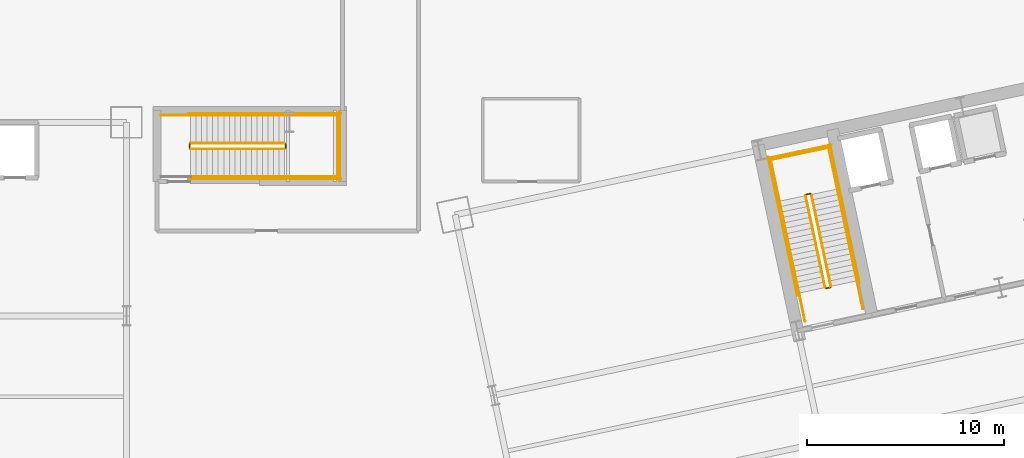
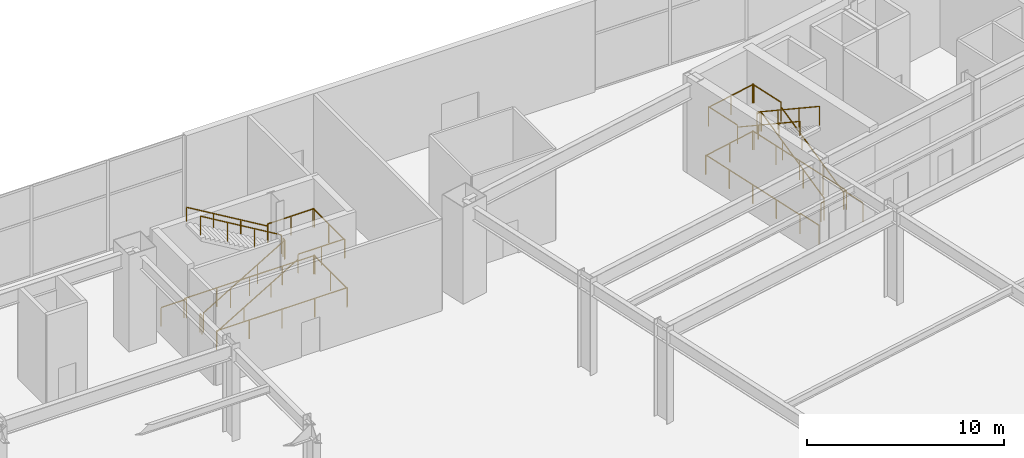
# One storey, part 28 of 30: 27 railings.
"""IFC4 building model written with IfcOpenShell, lengths in metres."""

from ifc_helpers import new_model, si_unit, direction, frame, origin, origin_2d, place, context, subcontext, project, spatial, rectangle, extrude, material, type_object, element, save


model = new_model("IFC4")

# Units and contexts
model_context = context("Model", 3, precision=1e-05, world=origin(), true_north=direction((0.0, 1.0)))
body_context = subcontext(model_context, "Body", "Model", "MODEL_VIEW")
ifc_project = project(units=[si_unit("LENGTHUNIT", "METRE"), si_unit("AREAUNIT", "SQUARE_METRE"), si_unit("VOLUMEUNIT", "CUBIC_METRE"), si_unit("PLANEANGLEUNIT", "RADIAN"), si_unit("MASSUNIT", "GRAM", prefix="KILO")], contexts=[model_context])

# Site, building, storey
site_placement = place(None, origin())
site = spatial("IfcSite", under=ifc_project, at=site_placement, CompositionType="ELEMENT")
building_placement = place(site_placement, origin())
building = spatial("IfcBuilding", under=site, at=building_placement, Name="Haevon Station Towers", CompositionType="ELEMENT")
storey_placement = place(building_placement, origin())
storey = spatial("IfcBuildingStorey", under=building, at=storey_placement, Name="L00", CompositionType="ELEMENT", Elevation=0.0)

# Railings
ifc_material = material(Name="Steel S355", Category="steel")
railing_type_1 = type_object("IfcRailingType", Name="GRD-STR1200", PredefinedType="GUARDRAIL", material=ifc_material)
railing_1_placement = place(storey_placement, frame((100.44140625, 39.69287109375, 0.166748046875)))
element("IfcRailing", 1, at=railing_1_placement, inside=storey, type_object=railing_type_1, Name="L00 ST3 Stair Guard 1", PredefinedType="GUARDRAIL", context=body_context, shape_type="SweptSolid", body=[
    extrude(rectangle(XDim=0.048095703125, YDim=0.048095703125, at=origin_2d()), frame((0.0, 0.0, 1.17578125), z_axis=(-0.178679474265, 0.840507541746, 0.511488726899), x_axis=(-0.97814190108, -0.207938503774, 0.0)), (0.0, 0.0, 1.0), 5.539306640625),
    extrude(rectangle(XDim=0.0419921875, YDim=0.0419921875, at=origin_2d()), origin(), (0.0, 0.0, 1.0), 1.15185546875),
    extrude(rectangle(XDim=0.0419921875, YDim=0.0419921875, at=origin_2d()), frame((-0.329833984375, 1.552001953125, 0.9443359375)), (0.0, 0.0, 1.0), 1.15185546875),
    extrude(rectangle(XDim=0.0419921875, YDim=0.0419921875, at=origin_2d()), frame((-0.659912109375, 3.103759765625, 1.888916015625)), (0.0, 0.0, 1.0), 1.15185546875),
    extrude(rectangle(XDim=0.0419921875, YDim=0.0419921875, at=origin_2d()), frame((-0.98974609375, 4.65576171875, 2.833251953125)), (0.0, 0.0, 1.0), 1.15185546875),
])
railing_2_placement = place(storey_placement, frame((99.392333984375, 44.38720703125, 3.0)))
element("IfcRailing", 2, at=railing_2_placement, inside=storey, type_object=railing_type_1, Name="L00 ST3 Stair Guard 2", PredefinedType="GUARDRAIL", context=body_context, shape_type="SweptSolid", body=[
    extrude(rectangle(XDim=0.048095703125, YDim=0.048095703125, at=origin_2d()), frame((0.0, 0.0, 1.17578125), z_axis=(-0.978211583308, -0.207610448392, 0.0), x_axis=(0.207610448392, -0.978211583308, 0.0)), (0.0, 0.0, 1.0), 0.199951171875),
    extrude(rectangle(XDim=0.0419921875, YDim=0.0419921875, at=origin_2d()), origin(), (0.0, 0.0, 1.0), 1.15185546875),
    extrude(rectangle(XDim=0.0419921875, YDim=0.0419921875, at=origin_2d()), frame((-0.195556640625, -0.04150390625, 0.0)), (0.0, 0.0, 1.0), 1.15185546875),
])
railing_3_placement = place(storey_placement, frame((100.772216796875, 44.62939453125, 3.0)))
element("IfcRailing", 3, at=railing_3_placement, inside=storey, type_object=railing_type_1, Name="L00 ST3 Stair Guard 3", PredefinedType="GUARDRAIL", context=body_context, shape_type="SweptSolid", body=[
    extrude(rectangle(XDim=0.048095703125, YDim=0.048095703125, at=origin_2d()), frame((0.0, 0.0, 1.17578125), z_axis=(-0.207914755032, 0.97814694941, 0.0), x_axis=(-0.97814694941, -0.207914755032, 0.0)), (0.0, 0.0, 1.0), 2.18994140625),
    extrude(rectangle(XDim=0.0419921875, YDim=0.0419921875, at=origin_2d()), origin(), (0.0, 0.0, 1.0), 1.15185546875),
    extrude(rectangle(XDim=0.0419921875, YDim=0.0419921875, at=origin_2d()), frame((-0.455322265625, 2.14208984375, 0.0)), (0.0, 0.0, 1.0), 1.15185546875),
])
railing_4_placement = place(storey_placement, frame((97.837890625, 44.005615234375, 3.0)))
element("IfcRailing", 4, at=railing_4_placement, inside=storey, type_object=railing_type_1, Name="L00 ST3 Stair Guard 4", PredefinedType="GUARDRAIL", context=body_context, shape_type="SweptSolid", body=[
    extrude(rectangle(XDim=0.048095703125, YDim=0.048095703125, at=origin_2d()), frame((0.0, 0.0, 1.17578125), z_axis=(-0.207892085132, 0.978151767846, 0.0), x_axis=(-0.978151767846, -0.207892085132, 0.0)), (0.0, 0.0, 1.0), 2.190185546875),
    extrude(rectangle(XDim=0.0419921875, YDim=0.0419921875, at=origin_2d()), origin(), (0.0, 0.0, 1.0), 1.15185546875),
    extrude(rectangle(XDim=0.0419921875, YDim=0.0419921875, at=origin_2d()), frame((-0.455322265625, 2.142333984375, 0.0)), (0.0, 0.0, 1.0), 1.15185546875),
])
railing_5_placement = place(storey_placement, frame((100.376220703125, 46.733154296875, 3.0)))
element("IfcRailing", 5, at=railing_5_placement, inside=storey, type_object=railing_type_1, Name="L00 ST3 Stair Guard 5", PredefinedType="GUARDRAIL", context=body_context, shape_type="SweptSolid", body=[
    extrude(rectangle(XDim=0.048095703125, YDim=0.048095703125, at=origin_2d()), frame((0.0, 0.0, 1.17578125), z_axis=(-0.978146839882, -0.207915270313, 0.0), x_axis=(0.207915270313, -0.978146839882, 0.0)), (0.0, 0.0, 1.0), 3.099853515625),
    extrude(rectangle(XDim=0.0419921875, YDim=0.0419921875, at=origin_2d()), origin(), (0.0, 0.0, 1.0), 1.15185546875),
    extrude(rectangle(XDim=0.0419921875, YDim=0.0419921875, at=origin_2d()), frame((-1.51611328125, -0.322265625, 0.0)), (0.0, 0.0, 1.0), 1.15185546875),
    extrude(rectangle(XDim=0.0419921875, YDim=0.0419921875, at=origin_2d()), frame((-3.0322265625, -0.64453125, 0.0)), (0.0, 0.0, 1.0), 1.15185546875),
])
railing_6_placement = place(storey_placement, frame((99.158203125, 44.286376953125, 3.166748046875)))
element("IfcRailing", 6, at=railing_6_placement, inside=storey, type_object=railing_type_1, Name="L00 ST3 Stair Guard 6", PredefinedType="GUARDRAIL", context=body_context, shape_type="SweptSolid", body=[
    extrude(rectangle(XDim=0.048095703125, YDim=0.048095703125, at=origin_2d()), frame((0.0, 0.0, 1.17578125), z_axis=(0.178672855234, -0.840520479072, 0.511469779227), x_axis=(0.978144118706, 0.207928071797, 0.0)), (0.0, 0.0, 1.0), 5.53955078125),
    extrude(rectangle(XDim=0.0419921875, YDim=0.0419921875, at=origin_2d()), origin(), (0.0, 0.0, 1.0), 1.15185546875),
    extrude(rectangle(XDim=0.0419921875, YDim=0.0419921875, at=origin_2d()), frame((0.329833984375, -1.552001953125, 0.9443359375)), (0.0, 0.0, 1.0), 1.15185546875),
    extrude(rectangle(XDim=0.0419921875, YDim=0.0419921875, at=origin_2d()), frame((0.659912109375, -3.10400390625, 1.888916015625)), (0.0, 0.0, 1.0), 1.15185546875),
    extrude(rectangle(XDim=0.0419921875, YDim=0.0419921875, at=origin_2d()), frame((0.98974609375, -4.656005859375, 2.833251953125)), (0.0, 0.0, 1.0), 1.15185546875),
])
railing_7_placement = place(storey_placement, frame((100.40283203125, 39.633544921875, 0.0)))
element("IfcRailing", 7, at=railing_7_placement, inside=storey, type_object=railing_type_1, Name="L00 ST3 Stair Guard 7", PredefinedType="GUARDRAIL", context=body_context, shape_type="SweptSolid", body=[
    extrude(rectangle(XDim=0.048095703125, YDim=0.048095703125, at=origin_2d()), frame((0.0, 0.0, 1.17578125), z_axis=(-0.977962931203, -0.208778603291, 0.0), x_axis=(0.208778603291, -0.977962931203, 0.0)), (0.0, 0.0, 1.0), 0.199951171875),
    extrude(rectangle(XDim=0.0419921875, YDim=0.0419921875, at=origin_2d()), origin(), (0.0, 0.0, 1.0), 1.15185546875),
    extrude(rectangle(XDim=0.0419921875, YDim=0.0419921875, at=origin_2d()), frame((-0.195556640625, -0.041748046875, 0.0)), (0.0, 0.0, 1.0), 1.15185546875),
])
for number, where, name in (
    (8, (102.0634765625, 38.55517578125, 0.0), "L00 ST3 Stair Guard 8"),
    (9, (99.12890625, 37.931396484375, 0.0), "L00 ST3 Stair Guard 9"),
):
    element("IfcRailing", number, at=place(storey_placement, frame(where)), inside=storey, type_object=railing_type_1, Name=name, PredefinedType="GUARDRAIL", context=body_context, shape_type="SweptSolid", body=[
        extrude(rectangle(XDim=0.048095703125, YDim=0.048095703125, at=origin_2d()), frame((0.0, 0.0, 1.17578125), z_axis=(-0.207953405961, 0.978138732977, 0.0), x_axis=(-0.978138732977, -0.207953405961, 0.0)), (0.0, 0.0, 1.0), 1.449951171875),
        extrude(rectangle(XDim=0.0419921875, YDim=0.0419921875, at=origin_2d()), origin(), (0.0, 0.0, 1.0), 1.15185546875),
        extrude(rectangle(XDim=0.0419921875, YDim=0.0419921875, at=origin_2d()), frame((-0.301513671875, 1.418212890625, 0.0)), (0.0, 0.0, 1.0), 1.15185546875),
    ])
railing_8_placement = place(storey_placement, frame((101.88037109375, 39.896484375, 0.0)))
element("IfcRailing", 10, at=railing_8_placement, inside=storey, type_object=railing_type_1, Name="L00 ST3 Stair Guard 10", PredefinedType="GUARDRAIL", context=body_context, shape_type="SweptSolid", body=[
    extrude(rectangle(XDim=0.048095703125, YDim=0.048095703125, at=origin_2d()), frame((0.0, 0.0, 1.17578125), z_axis=(-0.207882442208, 0.978153817261, 0.0), x_axis=(-0.978153817261, -0.207882442208, 0.0)), (0.0, 0.0, 1.0), 7.14990234375),
    extrude(rectangle(XDim=0.0419921875, YDim=0.0419921875, at=origin_2d()), origin(), (0.0, 0.0, 1.0), 1.15185546875),
    extrude(rectangle(XDim=0.0419921875, YDim=0.0419921875, at=origin_2d()), frame((-0.37158203125, 1.74853515625, 0.0)), (0.0, 0.0, 1.0), 1.15185546875),
    extrude(rectangle(XDim=0.0419921875, YDim=0.0419921875, at=origin_2d()), frame((-0.7431640625, 3.496826171875, 0.0)), (0.0, 0.0, 1.0), 1.15185546875),
    extrude(rectangle(XDim=0.0419921875, YDim=0.0419921875, at=origin_2d()), frame((-1.11474609375, 5.2451171875, 0.0)), (0.0, 0.0, 1.0), 1.15185546875),
    extrude(rectangle(XDim=0.0419921875, YDim=0.0419921875, at=origin_2d()), frame((-1.486328125, 6.99365234375, 0.0)), (0.0, 0.0, 1.0), 1.15185546875),
])
railing_9_placement = place(storey_placement, frame((98.75048828125, 39.231201171875, 0.0)))
element("IfcRailing", 11, at=railing_9_placement, inside=storey, type_object=railing_type_1, Name="L00 ST3 Stair Guard 11", PredefinedType="GUARDRAIL", context=body_context, shape_type="SweptSolid", body=[
    extrude(rectangle(XDim=0.048095703125, YDim=0.048095703125, at=origin_2d()), frame((0.0, 0.0, 1.17578125), z_axis=(-0.207915112487, 0.978146873429, 0.0), x_axis=(-0.978146873429, -0.207915112487, 0.0)), (0.0, 0.0, 1.0), 7.14990234375),
    extrude(rectangle(XDim=0.0419921875, YDim=0.0419921875, at=origin_2d()), origin(), (0.0, 0.0, 1.0), 1.15185546875),
    extrude(rectangle(XDim=0.0419921875, YDim=0.0419921875, at=origin_2d()), frame((-0.37158203125, 1.74853515625, 0.0)), (0.0, 0.0, 1.0), 1.15185546875),
    extrude(rectangle(XDim=0.0419921875, YDim=0.0419921875, at=origin_2d()), frame((-0.7431640625, 3.496826171875, 0.0)), (0.0, 0.0, 1.0), 1.15185546875),
    extrude(rectangle(XDim=0.0419921875, YDim=0.0419921875, at=origin_2d()), frame((-1.114990234375, 5.2451171875, 0.0)), (0.0, 0.0, 1.0), 1.15185546875),
    extrude(rectangle(XDim=0.0419921875, YDim=0.0419921875, at=origin_2d()), frame((-1.486572265625, 6.99365234375, 0.0)), (0.0, 0.0, 1.0), 1.15185546875),
])
railing_10_placement = place(storey_placement, frame((100.453125, 46.8515625, 0.0)))
element("IfcRailing", 12, at=railing_10_placement, inside=storey, type_object=railing_type_1, Name="L00 ST3 Stair Guard 12", PredefinedType="GUARDRAIL", context=body_context, shape_type="SweptSolid", body=[
    extrude(rectangle(XDim=0.048095703125, YDim=0.048095703125, at=origin_2d()), frame((0.0, 0.0, 1.17578125), z_axis=(-0.978150764849, -0.207896804268, 0.0), x_axis=(0.207896804268, -0.978150764849, 0.0)), (0.0, 0.0, 1.0), 3.2998046875),
    extrude(rectangle(XDim=0.0419921875, YDim=0.0419921875, at=origin_2d()), origin(), (0.0, 0.0, 1.0), 1.15185546875),
    extrude(rectangle(XDim=0.0419921875, YDim=0.0419921875, at=origin_2d()), frame((-1.61376953125, -0.343017578125, 0.0)), (0.0, 0.0, 1.0), 1.15185546875),
    extrude(rectangle(XDim=0.0419921875, YDim=0.0419921875, at=origin_2d()), frame((-3.227783203125, -0.68603515625, 0.0)), (0.0, 0.0, 1.0), 1.15185546875),
])
railing_11_placement = place(storey_placement, frame((68.0, 46.64990234375, 0.166748046875)))
element("IfcRailing", 13, at=railing_11_placement, inside=storey, type_object=railing_type_1, Name="L00 ST6 Stair Guard 1", PredefinedType="GUARDRAIL", context=body_context, shape_type="SweptSolid", body=[
    extrude(rectangle(XDim=0.048095703125, YDim=0.048095703125, at=origin_2d()), frame((0.0, 0.0, 1.17578125), z_axis=(0.859299802514, 0.0, 0.511472237174), x_axis=(0.0, 1.0, 0.0)), (0.0, 0.0, 1.0), 5.539306640625),
    extrude(rectangle(XDim=0.0419921875, YDim=0.0419921875, at=origin_2d()), origin(), (0.0, 0.0, 1.0), 1.15185546875),
    extrude(rectangle(XDim=0.0419921875, YDim=0.0419921875, at=origin_2d()), frame((1.586669921875, 0.0, 0.9443359375)), (0.0, 0.0, 1.0), 1.15185546875),
    extrude(rectangle(XDim=0.0419921875, YDim=0.0419921875, at=origin_2d()), frame((3.17333984375, 0.0, 1.888916015625)), (0.0, 0.0, 1.0), 1.15185546875),
    extrude(rectangle(XDim=0.0419921875, YDim=0.0419921875, at=origin_2d()), frame((4.760009765625, 0.0, 2.833251953125)), (0.0, 0.0, 1.0), 1.15185546875),
])
railing_12_placement = place(storey_placement, frame((72.81005859375, 46.699951171875, 3.0)))
element("IfcRailing", 14, at=railing_12_placement, inside=storey, type_object=railing_type_1, Name="L00 ST6 Stair Guard 2", PredefinedType="GUARDRAIL", context=body_context, shape_type="SweptSolid", body=[
    extrude(rectangle(XDim=0.048095703125, YDim=0.048095703125, at=origin_2d()), frame((0.0, 0.0, 1.17578125), z_axis=(0.0, 1.0, 0.0), x_axis=(-1.0, 0.0, 0.0)), (0.0, 0.0, 1.0), 0.199951171875),
    extrude(rectangle(XDim=0.0419921875, YDim=0.0419921875, at=origin_2d()), origin(), (0.0, 0.0, 1.0), 1.15185546875),
    extrude(rectangle(XDim=0.0419921875, YDim=0.0419921875, at=origin_2d()), frame((0.0, 0.199951171875, 0.0)), (0.0, 0.0, 1.0), 1.15185546875),
])
for number, where, name in (
    (15, (72.760009765625, 45.25, 3.0), "L00 ST6 Stair Guard 3"),
    (16, (72.760009765625, 48.35009765625, 3.0), "L00 ST6 Stair Guard 4"),
):
    element("IfcRailing", number, at=place(storey_placement, frame(where)), inside=storey, type_object=railing_type_1, Name=name, PredefinedType="GUARDRAIL", context=body_context, shape_type="SweptSolid", body=[
        extrude(rectangle(XDim=0.048095703125, YDim=0.048095703125, at=origin_2d()), frame((0.0, 0.0, 1.17578125), z_axis=(1.0, 0.0, 0.0), x_axis=(0.0, 1.0, 0.0)), (0.0, 0.0, 1.0), 2.739990234375),
        extrude(rectangle(XDim=0.0419921875, YDim=0.0419921875, at=origin_2d()), origin(), (0.0, 0.0, 1.0), 1.15185546875),
        extrude(rectangle(XDim=0.0419921875, YDim=0.0419921875, at=origin_2d()), frame((1.3701171875, 0.0, 0.0)), (0.0, 0.0, 1.0), 1.15185546875),
        extrude(rectangle(XDim=0.0419921875, YDim=0.0419921875, at=origin_2d()), frame((2.739990234375, 0.0, 0.0)), (0.0, 0.0, 1.0), 1.15185546875),
    ])
railing_13_placement = place(storey_placement, frame((75.449951171875, 45.199951171875, 3.0)))
element("IfcRailing", 17, at=railing_13_placement, inside=storey, type_object=railing_type_1, Name="L00 ST6 Stair Guard 5", PredefinedType="GUARDRAIL", context=body_context, shape_type="SweptSolid", body=[
    extrude(rectangle(XDim=0.048095703125, YDim=0.048095703125, at=origin_2d()), frame((0.0, 0.0, 1.17578125), z_axis=(0.0, 1.0, 0.0), x_axis=(-1.0, 0.0, 0.0)), (0.0, 0.0, 1.0), 3.199951171875),
    extrude(rectangle(XDim=0.0419921875, YDim=0.0419921875, at=origin_2d()), origin(), (0.0, 0.0, 1.0), 1.15185546875),
    extrude(rectangle(XDim=0.0419921875, YDim=0.0419921875, at=origin_2d()), frame((0.0, 1.60009765625, 0.0)), (0.0, 0.0, 1.0), 1.15185546875),
    extrude(rectangle(XDim=0.0419921875, YDim=0.0419921875, at=origin_2d()), frame((0.0, 3.199951171875, 0.0)), (0.0, 0.0, 1.0), 1.15185546875),
])
railing_14_placement = place(storey_placement, frame((72.760009765625, 46.949951171875, 3.166748046875)))
element("IfcRailing", 18, at=railing_14_placement, inside=storey, type_object=railing_type_1, Name="L00 ST6 Stair Guard 6", PredefinedType="GUARDRAIL", context=body_context, shape_type="SweptSolid", body=[
    extrude(rectangle(XDim=0.048095703125, YDim=0.048095703125, at=origin_2d()), frame((0.0, 0.0, 1.17578125), z_axis=(-0.859299802514, 0.0, 0.511472237174), x_axis=(0.0, -1.0, 0.0)), (0.0, 0.0, 1.0), 5.539306640625),
    extrude(rectangle(XDim=0.0419921875, YDim=0.0419921875, at=origin_2d()), origin(), (0.0, 0.0, 1.0), 1.15185546875),
    extrude(rectangle(XDim=0.0419921875, YDim=0.0419921875, at=origin_2d()), frame((-1.586669921875, 0.0, 0.9443359375)), (0.0, 0.0, 1.0), 1.15185546875),
    extrude(rectangle(XDim=0.0419921875, YDim=0.0419921875, at=origin_2d()), frame((-3.17333984375, 0.0, 1.888916015625)), (0.0, 0.0, 1.0), 1.15185546875),
    extrude(rectangle(XDim=0.0419921875, YDim=0.0419921875, at=origin_2d()), frame((-4.760009765625, 0.0, 2.833251953125)), (0.0, 0.0, 1.0), 1.15185546875),
])
railing_15_placement = place(storey_placement, frame((67.949951171875, 46.699951171875, 0.0)))
element("IfcRailing", 19, at=railing_15_placement, inside=storey, type_object=railing_type_1, Name="L00 ST6 Stair Guard 7", PredefinedType="GUARDRAIL", context=body_context, shape_type="SweptSolid", body=[
    extrude(rectangle(XDim=0.048095703125, YDim=0.048095703125, at=origin_2d()), frame((0.0, 0.0, 1.17578125), z_axis=(0.0, 1.0, 0.0), x_axis=(-1.0, 0.0, 0.0)), (0.0, 0.0, 1.0), 0.199951171875),
    extrude(rectangle(XDim=0.0419921875, YDim=0.0419921875, at=origin_2d()), origin(), (0.0, 0.0, 1.0), 1.15185546875),
    extrude(rectangle(XDim=0.0419921875, YDim=0.0419921875, at=origin_2d()), frame((0.0, 0.199951171875, 0.0)), (0.0, 0.0, 1.0), 1.15185546875),
])
railing_16_placement = place(storey_placement, frame((66.5, 48.35009765625, 0.0)))
element("IfcRailing", 20, at=railing_16_placement, inside=storey, type_object=railing_type_1, Name="L00 ST6 Stair Guard 9", PredefinedType="GUARDRAIL", context=body_context, shape_type="SweptSolid", body=[
    extrude(rectangle(XDim=0.048095703125, YDim=0.048095703125, at=origin_2d()), frame((0.0, 0.0, 1.17578125), z_axis=(1.0, 0.0, 0.0), x_axis=(0.0, 1.0, 0.0)), (0.0, 0.0, 1.0), 1.5),
    extrude(rectangle(XDim=0.0419921875, YDim=0.0419921875, at=origin_2d()), origin(), (0.0, 0.0, 1.0), 1.15185546875),
    extrude(rectangle(XDim=0.0419921875, YDim=0.0419921875, at=origin_2d()), frame((1.5, 0.0, 0.0)), (0.0, 0.0, 1.0), 1.15185546875),
])
for number, where, name in (
    (21, (67.89990234375, 45.14990234375, 0.0), "L00 ST6 Stair Guard 10"),
    (22, (67.89990234375, 48.449951171875, 0.0), "L00 ST6 Stair Guard 11"),
):
    element("IfcRailing", number, at=place(storey_placement, frame(where)), inside=storey, type_object=railing_type_1, Name=name, PredefinedType="GUARDRAIL", context=body_context, shape_type="SweptSolid", body=[
        extrude(rectangle(XDim=0.048095703125, YDim=0.048095703125, at=origin_2d()), frame((0.0, 0.0, 1.17578125), z_axis=(1.0, 0.0, 0.0), x_axis=(0.0, 1.0, 0.0)), (0.0, 0.0, 1.0), 7.7001953125),
        extrude(rectangle(XDim=0.0419921875, YDim=0.0419921875, at=origin_2d()), origin(), (0.0, 0.0, 1.0), 1.15185546875),
        extrude(rectangle(XDim=0.0419921875, YDim=0.0419921875, at=origin_2d()), frame((1.925048828125, 0.0, 0.0)), (0.0, 0.0, 1.0), 1.15185546875),
        extrude(rectangle(XDim=0.0419921875, YDim=0.0419921875, at=origin_2d()), frame((3.85009765625, 0.0, 0.0)), (0.0, 0.0, 1.0), 1.15185546875),
        extrude(rectangle(XDim=0.0419921875, YDim=0.0419921875, at=origin_2d()), frame((5.775146484375, 0.0, 0.0)), (0.0, 0.0, 1.0), 1.15185546875),
        extrude(rectangle(XDim=0.0419921875, YDim=0.0419921875, at=origin_2d()), frame((7.7001953125, 0.0, 0.0)), (0.0, 0.0, 1.0), 1.15185546875),
    ])
railing_17_placement = place(storey_placement, frame((75.550048828125, 45.10009765625, 0.0)))
element("IfcRailing", 23, at=railing_17_placement, inside=storey, type_object=railing_type_1, Name="L00 ST6 Stair Guard 12", PredefinedType="GUARDRAIL", context=body_context, shape_type="SweptSolid", body=[
    extrude(rectangle(XDim=0.048095703125, YDim=0.048095703125, at=origin_2d()), frame((0.0, 0.0, 1.17578125), z_axis=(0.0, 1.0, 0.0), x_axis=(-1.0, 0.0, 0.0)), (0.0, 0.0, 1.0), 3.39990234375),
    extrude(rectangle(XDim=0.0419921875, YDim=0.0419921875, at=origin_2d()), origin(), (0.0, 0.0, 1.0), 1.15185546875),
    extrude(rectangle(XDim=0.0419921875, YDim=0.0419921875, at=origin_2d()), frame((0.0, 1.699951171875, 0.0)), (0.0, 0.0, 1.0), 1.15185546875),
    extrude(rectangle(XDim=0.0419921875, YDim=0.0419921875, at=origin_2d()), frame((0.0, 3.39990234375, 0.0)), (0.0, 0.0, 1.0), 1.15185546875),
])
railing_type_2 = type_object("IfcRailingType", Name="HND-STR900", PredefinedType="HANDRAIL", material=ifc_material)
railing_18_placement = place(storey_placement, frame((101.761962890625, 39.973388671875, 0.166748046875)))
element("IfcRailing", 24, at=railing_18_placement, inside=storey, type_object=railing_type_2, Name="L00 ST3 Stair Handrail 1", PredefinedType="HANDRAIL", context=body_context, shape_type="SweptSolid", body=[
    extrude(rectangle(XDim=0.048095703125, YDim=0.048095703125, at=origin_2d()), frame((0.0, 0.0, 0.8759765625), z_axis=(-0.178672855234, 0.840520479072, 0.511469779227), x_axis=(-0.978144118706, -0.207928071797, 0.0)), (0.0, 0.0, 1.0), 5.53955078125),
    extrude(rectangle(XDim=0.0419921875, YDim=0.0419921875, at=origin_2d()), origin(), (0.0, 0.0, 1.0), 0.851806640625),
    extrude(rectangle(XDim=0.0419921875, YDim=0.0419921875, at=origin_2d()), frame((-0.329833984375, 1.552001953125, 0.9443359375)), (0.0, 0.0, 1.0), 0.851806640625),
    extrude(rectangle(XDim=0.0419921875, YDim=0.0419921875, at=origin_2d()), frame((-0.659912109375, 3.10400390625, 1.888916015625)), (0.0, 0.0, 1.0), 0.851806640625),
    extrude(rectangle(XDim=0.0419921875, YDim=0.0419921875, at=origin_2d()), frame((-0.98974609375, 4.656005859375, 2.833251953125)), (0.0, 0.0, 1.0), 0.851806640625),
])
railing_19_placement = place(storey_placement, frame((97.837890625, 44.005615234375, 3.166748046875)))
element("IfcRailing", 25, at=railing_19_placement, inside=storey, type_object=railing_type_2, Name="L00 ST3 Stair Handrail 2", PredefinedType="HANDRAIL", context=body_context, shape_type="SweptSolid", body=[
    extrude(rectangle(XDim=0.048095703125, YDim=0.048095703125, at=origin_2d()), frame((0.0, 0.0, 0.8759765625), z_axis=(0.178630188498, -0.840527097172, 0.511473806443), x_axis=(0.978154549052, 0.207878998863, 0.0)), (0.0, 0.0, 1.0), 5.539306640625),
    extrude(rectangle(XDim=0.0419921875, YDim=0.0419921875, at=origin_2d()), origin(), (0.0, 0.0, 1.0), 0.851806640625),
    extrude(rectangle(XDim=0.0419921875, YDim=0.0419921875, at=origin_2d()), frame((0.329833984375, -1.552001953125, 0.9443359375)), (0.0, 0.0, 1.0), 0.851806640625),
    extrude(rectangle(XDim=0.0419921875, YDim=0.0419921875, at=origin_2d()), frame((0.65966796875, -3.10400390625, 1.888916015625)), (0.0, 0.0, 1.0), 0.851806640625),
    extrude(rectangle(XDim=0.0419921875, YDim=0.0419921875, at=origin_2d()), frame((0.989501953125, -4.656005859375, 2.833251953125)), (0.0, 0.0, 1.0), 0.851806640625),
])
railing_20_placement = place(storey_placement, frame((68.0, 45.25, 0.166748046875)))
element("IfcRailing", 26, at=railing_20_placement, inside=storey, type_object=railing_type_2, Name="L00 ST6 Stair Handrail 1", PredefinedType="HANDRAIL", context=body_context, shape_type="SweptSolid", body=[
    extrude(rectangle(XDim=0.048095703125, YDim=0.048095703125, at=origin_2d()), frame((0.0, 0.0, 0.8759765625), z_axis=(0.859299802514, 0.0, 0.511472237174), x_axis=(0.0, 1.0, 0.0)), (0.0, 0.0, 1.0), 5.539306640625),
    extrude(rectangle(XDim=0.0419921875, YDim=0.0419921875, at=origin_2d()), origin(), (0.0, 0.0, 1.0), 0.851806640625),
    extrude(rectangle(XDim=0.0419921875, YDim=0.0419921875, at=origin_2d()), frame((1.586669921875, 0.0, 0.9443359375)), (0.0, 0.0, 1.0), 0.851806640625),
    extrude(rectangle(XDim=0.0419921875, YDim=0.0419921875, at=origin_2d()), frame((3.17333984375, 0.0, 1.888916015625)), (0.0, 0.0, 1.0), 0.851806640625),
    extrude(rectangle(XDim=0.0419921875, YDim=0.0419921875, at=origin_2d()), frame((4.760009765625, 0.0, 2.833251953125)), (0.0, 0.0, 1.0), 0.851806640625),
])
railing_21_placement = place(storey_placement, frame((72.760009765625, 48.35009765625, 3.166748046875)))
element("IfcRailing", 27, at=railing_21_placement, inside=storey, type_object=railing_type_2, Name="L00 ST6 Stair Handrail 2", PredefinedType="HANDRAIL", context=body_context, shape_type="SweptSolid", body=[
    extrude(rectangle(XDim=0.048095703125, YDim=0.048095703125, at=origin_2d()), frame((0.0, 0.0, 0.8759765625), z_axis=(-0.859299802514, 0.0, 0.511472237174), x_axis=(0.0, -1.0, 0.0)), (0.0, 0.0, 1.0), 5.539306640625),
    extrude(rectangle(XDim=0.0419921875, YDim=0.0419921875, at=origin_2d()), origin(), (0.0, 0.0, 1.0), 0.851806640625),
    extrude(rectangle(XDim=0.0419921875, YDim=0.0419921875, at=origin_2d()), frame((-1.586669921875, 0.0, 0.9443359375)), (0.0, 0.0, 1.0), 0.851806640625),
    extrude(rectangle(XDim=0.0419921875, YDim=0.0419921875, at=origin_2d()), frame((-3.17333984375, 0.0, 1.888916015625)), (0.0, 0.0, 1.0), 0.851806640625),
    extrude(rectangle(XDim=0.0419921875, YDim=0.0419921875, at=origin_2d()), frame((-4.760009765625, 0.0, 2.833251953125)), (0.0, 0.0, 1.0), 0.851806640625),
])

save(model, "model.ifc")
